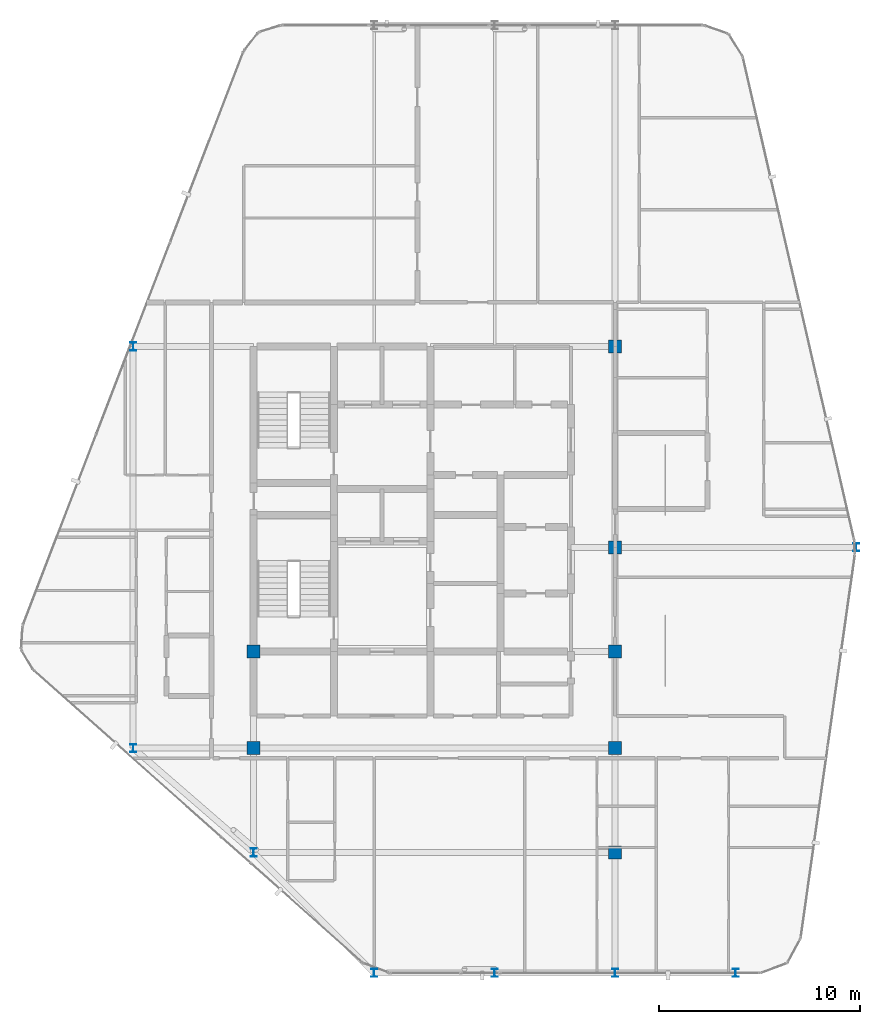
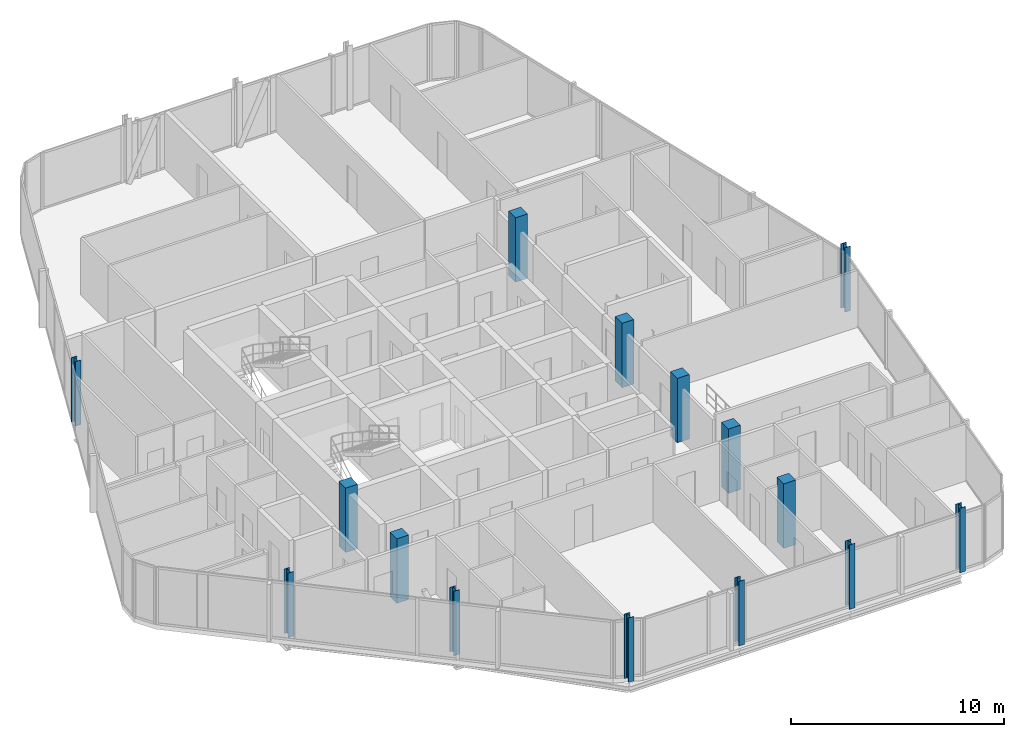
# One storey, part 1 of 27: 15 columns.
"""IFC4 building model written with IfcOpenShell, lengths in metres."""

import ifcopenshell
import ifcopenshell.guid

model = None  # the IFC model being written
_history = None  # IfcOwnerHistory: only IFC2X3 demands one
_inside = {}  # id of a spatial element -> (the spatial element, [elements in it])
_under = {}  # id of a project, library or spatial element -> (it, [spatial elements below it])
_declared = {}  # id of a project -> (the project, [libraries it declares])
_typed = {}  # id of a type object -> (the type object, [elements of that type])
_made_of = {}  # id of a material, layer set ... -> (it, [elements and type objects made of it])


def new_model(schema):
    """Start an empty IFC model of exactly this schema.

    Asked for "IFC4X3", IfcOpenShell would pick the latest addendum, in which some entities
    have other attributes; the version numbers below select the first issue.
    IFC2X3 requires an IfcOwnerHistory on every rooted entity: one is made here for all.
    """
    global model, _history
    if schema == "IFC4X3":
        model = ifcopenshell.file(schema_version=(4, 3, 0, 0))
    else:
        model = ifcopenshell.file(schema=schema)
    _inside.clear()
    _under.clear()
    _declared.clear()
    _typed.clear()
    _made_of.clear()
    _history = None
    if model.schema == "IFC2X3":
        org = make("IfcOrganization", Name="unknown")
        user = make(
            "IfcPersonAndOrganization",
            ThePerson=make("IfcPerson", FamilyName="unknown"),
            TheOrganization=org,
        )
        app = make(
            "IfcApplication",
            ApplicationDeveloper=org,
            Version="unknown",
            ApplicationFullName="unknown",
            ApplicationIdentifier="unknown",
        )
        _history = make(
            "IfcOwnerHistory",
            OwningUser=user,
            OwningApplication=app,
            ChangeAction="ADDED",
            CreationDate=0,
        )
    return model


def make(cls, **values):
    """One entity of the class cls with the attributes given. An attribute that is None is left unset."""
    return model.create_entity(
        cls, **{name: value for name, value in values.items() if value is not None}
    )


def rooted(cls, **values):
    """An entity with a GlobalId (a new one), such as an element, a storey or a relation."""
    return make(cls, GlobalId=ifcopenshell.guid.new(), OwnerHistory=_history, **values)


def si_unit(unit_type, name, prefix=None):
    """IfcSIUnit, for example si_unit("LENGTHUNIT", "METRE", prefix="MILLI")."""
    return make("IfcSIUnit", UnitType=unit_type, Prefix=prefix, Name=name)


def assignment(units):
    """IfcUnitAssignment: the units of a project."""
    return None if units is None else make("IfcUnitAssignment", Units=units)


def point(xyz):
    """IfcCartesianPoint."""
    return None if xyz is None else make("IfcCartesianPoint", Coordinates=xyz)


def direction(xyz):
    """IfcDirection."""
    return None if xyz is None else make("IfcDirection", DirectionRatios=xyz)


def frame(location, z_axis=None, x_axis=None):
    """IfcAxis2Placement3D, a coordinate frame: its origin and axes. An axis left out is left unset."""
    return make(
        "IfcAxis2Placement3D",
        Location=point(location),
        Axis=direction(z_axis),
        RefDirection=direction(x_axis),
    )


def frame_2d(location, x_axis=None):
    """IfcAxis2Placement2D, a coordinate frame in the plane: its origin and x axis."""
    return make(
        "IfcAxis2Placement2D", Location=point(location), RefDirection=direction(x_axis)
    )


def origin():
    """The frame at (0, 0, 0) with its axes left unset."""
    return frame((0.0, 0.0, 0.0))


def origin_2d():
    """The frame at (0, 0) in the plane with its x axis left unset."""
    return frame_2d((0.0, 0.0))


def place(relative_to, where):
    """IfcLocalPlacement: puts the frame where relative to a parent placement (None: the world)."""
    return make(
        "IfcLocalPlacement", PlacementRelTo=relative_to, RelativePlacement=where
    )


def context(
    kind, dimensions, precision=None, world=None, true_north=None, identifier=None
):
    """IfcGeometricRepresentationContext, for example the 3D "Model" context."""
    return make(
        "IfcGeometricRepresentationContext",
        ContextIdentifier=identifier,
        ContextType=kind,
        CoordinateSpaceDimension=dimensions,
        Precision=precision,
        WorldCoordinateSystem=world,
        TrueNorth=true_north,
    )


def subcontext(parent, identifier, kind, view, scale=None):
    """IfcGeometricRepresentationSubContext, for example "Body" below "Model"."""
    return make(
        "IfcGeometricRepresentationSubContext",
        ContextIdentifier=identifier,
        ContextType=kind,
        ParentContext=parent,
        TargetScale=scale,
        TargetView=view,
    )


def project(units=None, contexts=None):
    """IfcProject with its units and contexts."""
    return rooted(
        "IfcProject",
        Name="project",
        RepresentationContexts=contexts,
        UnitsInContext=assignment(units),
    )


def spatial(cls, under=None, at=None, **own):
    """A site, building, storey or space (cls), placed at a placement, below another one or the project."""
    s = rooted(cls, ObjectPlacement=at, **own)
    if under is not None:
        _under.setdefault(under.id(), (under, []))[1].append(s)
    return s


def profile(cls, at=None, kind="AREA", **sizes):
    """A parametric profile (cls). Its sizes go by their IFC names, for example OverallWidth=200.0."""
    return make(cls, ProfileType=kind, Position=at, **sizes)


def rectangle(**sizes):
    """IfcRectangleProfileDef."""
    return profile("IfcRectangleProfileDef", **sizes)


def i_section(**sizes):
    """IfcIShapeProfileDef."""
    return profile("IfcIShapeProfileDef", **sizes)


def extrude(swept, where, along, depth):
    """IfcExtrudedAreaSolid: the profile swept, set in the frame where, extruded along a direction by depth."""
    return make(
        "IfcExtrudedAreaSolid",
        SweptArea=swept,
        Position=where,
        ExtrudedDirection=direction(along),
        Depth=depth,
    )


def shape(context_of_items, identifier, shape_type, items):
    """IfcShapeRepresentation: the items that make up one representation, for example the "Body"."""
    return make(
        "IfcShapeRepresentation",
        ContextOfItems=context_of_items,
        RepresentationIdentifier=identifier,
        RepresentationType=shape_type,
        Items=items,
    )


def material(Name=None, Category=None):
    """IfcMaterial."""
    return make("IfcMaterial", Name=Name, Category=Category)


def material_profile(
    of_material, cross_section, Name=None, Category=None, Priority=None
):
    """IfcMaterialProfile: a cross section and its material."""
    return make(
        "IfcMaterialProfile",
        Name=Name,
        Material=of_material,
        Profile=cross_section,
        Priority=Priority,
        Category=Category,
    )


def profile_set(profiles, Name=None, composite=None):
    """IfcMaterialProfileSet."""
    return make(
        "IfcMaterialProfileSet",
        Name=Name,
        MaterialProfiles=profiles,
        CompositeProfile=composite,
    )


def made_of(thing, what):
    """Note that an element or type object is made of a material, layer set ...; save() writes the relation."""
    if what is not None:
        _made_of.setdefault(what.id(), (what, []))[1].append(thing)
    return thing


def type_object(cls, material=None, **own):
    """A type object (cls), such as IfcWallType, which elements share."""
    return made_of(rooted(cls, **own), material)


def element(
    cls,
    number,
    at=None,
    inside=None,
    cuts=None,
    type_object=None,
    material=None,
    context=None,
    identifier="Body",
    shape_type=None,
    held_by="IfcProductDefinitionShape",
    body=None,
    shapes=None,
    **own,
):
    """One element of the class cls, such as IfcWall. Its Tag is "e" and its number.

    at: its placement. inside: the storey or other place that contains it. cuts: it is an
    opening in that element (IfcRelVoidsElement). A single representation is given by context,
    identifier, shape_type and body (its items); several are given by shapes. held_by: the class
    of the entity that holds the representations. save() writes the other relations.
    """
    e = rooted(cls, Tag="e%d" % number, ObjectPlacement=at, **own)
    if body is not None:
        shapes = [shape(context, identifier, shape_type, body)]
    if shapes is not None:
        e.Representation = make(held_by, Representations=shapes)
    if inside is not None:
        _inside.setdefault(inside.id(), (inside, []))[1].append(e)
    if cuts is not None:
        rooted(
            "IfcRelVoidsElement", RelatingBuildingElement=cuts, RelatedOpeningElement=e
        )
    if type_object is not None:
        _typed.setdefault(type_object.id(), (type_object, []))[1].append(e)
    return made_of(e, material)


def aggregate(whole, parts):
    """IfcRelAggregates: a whole, such as a stair, and the parts it consists of."""
    return rooted("IfcRelAggregates", RelatingObject=whole, RelatedObjects=parts)


def save(model, path):
    """Write the relations noted so far, then the file.

    IfcRelAggregates (storeys below a building ...), IfcRelContainedInSpatialStructure (elements
    in a storey), IfcRelDefinesByType, IfcRelAssociatesMaterial and IfcRelDeclares: one each for
    every whole, place, type object, material and project.
    """
    for whole, parts in _under.values():
        aggregate(whole, parts)
    for where, things in _inside.values():
        rooted(
            "IfcRelContainedInSpatialStructure",
            RelatedElements=things,
            RelatingStructure=where,
        )
    for kind, things in _typed.values():
        rooted("IfcRelDefinesByType", RelatedObjects=things, RelatingType=kind)
    for what, things in _made_of.values():
        rooted("IfcRelAssociatesMaterial", RelatedObjects=things, RelatingMaterial=what)
    for by, libraries in _declared.values():
        rooted("IfcRelDeclares", RelatingContext=by, RelatedDefinitions=libraries)
    model.write(path)


model = new_model("IFC4")

# Units and contexts
model_context = context("Model", 3, precision=1e-05, world=origin(), true_north=direction((0.0, 1.0)))
body_context = subcontext(model_context, "Body", "Model", "MODEL_VIEW")
ifc_project = project(units=[si_unit("LENGTHUNIT", "METRE"), si_unit("AREAUNIT", "SQUARE_METRE"), si_unit("VOLUMEUNIT", "CUBIC_METRE"), si_unit("PLANEANGLEUNIT", "RADIAN"), si_unit("MASSUNIT", "GRAM", prefix="KILO")], contexts=[model_context])

# Site, building, storey
site_placement = place(None, origin())
site = spatial("IfcSite", under=ifc_project, at=site_placement, CompositionType="ELEMENT")
building_placement = place(site_placement, origin())
building = spatial("IfcBuilding", under=site, at=building_placement, Name="Keshet Zoharim Tower", CompositionType="ELEMENT")
storey_placement = place(building_placement, frame((0.0, 0.0, 311.0)))
storey = spatial("IfcBuildingStorey", under=building, at=storey_placement, Name="L78", CompositionType="ELEMENT", Elevation=311.0)

# Columns
ifc_material_1 = material(Name="Steel S355", Category="steel")
ifc_material_profile_1 = material_profile(ifc_material_1, i_section(OverallWidth=0.300048828125, OverallDepth=0.39990234375, WebThickness=0.013427734375, FlangeThickness=0.02392578125, FilletRadius=0.027099609375, at=origin_2d()), Name="HEB400")
ifc_profile_set_1 = profile_set([ifc_material_profile_1], Name="Steel S355")
column_type_1 = type_object("IfcColumnType", Name="COL-HEB400", PredefinedType="COLUMN", material=ifc_profile_set_1)
for number, where, z_axis, x_axis, name in (
    (1, (9.0, 17.89990234375, 0.0), (0.0, 0.0, 1.0), (1.0, 0.0, 0.0), "L78 Column 2D"),
    (2, (9.0, 37.89990234375, 0.0), (0.0, 0.0, 1.0), (1.0, 0.0, 0.0), "L78 Column 2H"),
    (3, (15.0, 12.699951171875, 0.0), (0.0, 0.0, 1.0), (1.0, 0.0, 0.0), "L78 Column 3C"),
    (4, (21.0, 6.699951171875, 0.0), (0.0, 0.0, 1.0), (1.0, 0.0, 0.0), "L78 Column 4B"),
    (5, (27.0, 6.699951171875, 0.0), (0.0, 0.0, 1.0), (1.0, 0.0, 0.0), "L78 Column 5B"),
    (6, (33.0, 6.699951171875, 0.0), (0.0, 0.0, 1.0), (1.0, 0.0, 0.0), "L78 Column 6B"),
    (7, (39.0, 6.699951171875, 0.0), (0.0, 0.0, 1.0), (1.0, 0.0, 0.0), "L78 Column 7B"),
    (8, (45.0, 27.89990234375, 0.0), (0.0, 0.0, 1.0), (1.0, 0.0, 0.0), "L78 Column 8F"),
):
    element("IfcColumn", number, at=place(storey_placement, frame(where, z_axis=z_axis, x_axis=x_axis)), inside=storey, type_object=column_type_1, Name=name, PredefinedType="COLUMN", context=body_context, shape_type="SweptSolid", body=[
        extrude(i_section(OverallWidth=0.300048828125, OverallDepth=0.39990234375, WebThickness=0.013427734375, FlangeThickness=0.02392578125, FilletRadius=0.027099609375, at=origin_2d()), origin(), (0.0, 0.0, 1.0), 3.699951171875),
    ])
ifc_material_2 = material(Name="Concrete C50/60", Category="concrete")
ifc_material_profile_2 = material_profile(ifc_material_2, rectangle(XDim=0.64990234375, YDim=0.64990234375, at=origin_2d()), Name="RC650x650")
ifc_profile_set_2 = profile_set([ifc_material_profile_2], Name="Concrete C50/60")
column_type_2 = type_object("IfcColumnType", Name="COL-RC650", PredefinedType="COLUMN", material=ifc_profile_set_2)
for number, where, z_axis, x_axis, name in (
    (9, (15.0, 17.89990234375, 0.0), (0.0, 0.0, 1.0), (1.0, 0.0, 0.0), "L78 Column 3D"),
    (10, (15.0, 22.699951171875, 0.0), (0.0, 0.0, 1.0), (1.0, 0.0, 0.0), "L78 Column 3E"),
    (11, (33.0, 12.699951171875, 0.0), (0.0, 0.0, 1.0), (1.0, 0.0, 0.0), "L78 Column 6C"),
    (12, (33.0, 17.89990234375, 0.0), (0.0, 0.0, 1.0), (1.0, 0.0, 0.0), "L78 Column 6D"),
    (13, (33.0, 22.699951171875, 0.0), (0.0, 0.0, 1.0), (1.0, 0.0, 0.0), "L78 Column 6E"),
    (14, (33.0, 27.89990234375, 0.0), (0.0, 0.0, 1.0), (1.0, 0.0, 0.0), "L78 Column 6F"),
    (15, (33.0, 37.89990234375, 0.0), (0.0, 0.0, 1.0), (1.0, 0.0, 0.0), "L78 Column 6H"),
):
    element("IfcColumn", number, at=place(storey_placement, frame(where, z_axis=z_axis, x_axis=x_axis)), inside=storey, type_object=column_type_2, Name=name, PredefinedType="COLUMN", context=body_context, shape_type="SweptSolid", body=[
        extrude(rectangle(XDim=0.64990234375, YDim=0.64990234375, at=origin_2d()), origin(), (0.0, 0.0, 1.0), 3.699951171875),
    ])

save(model, "model.ifc")
